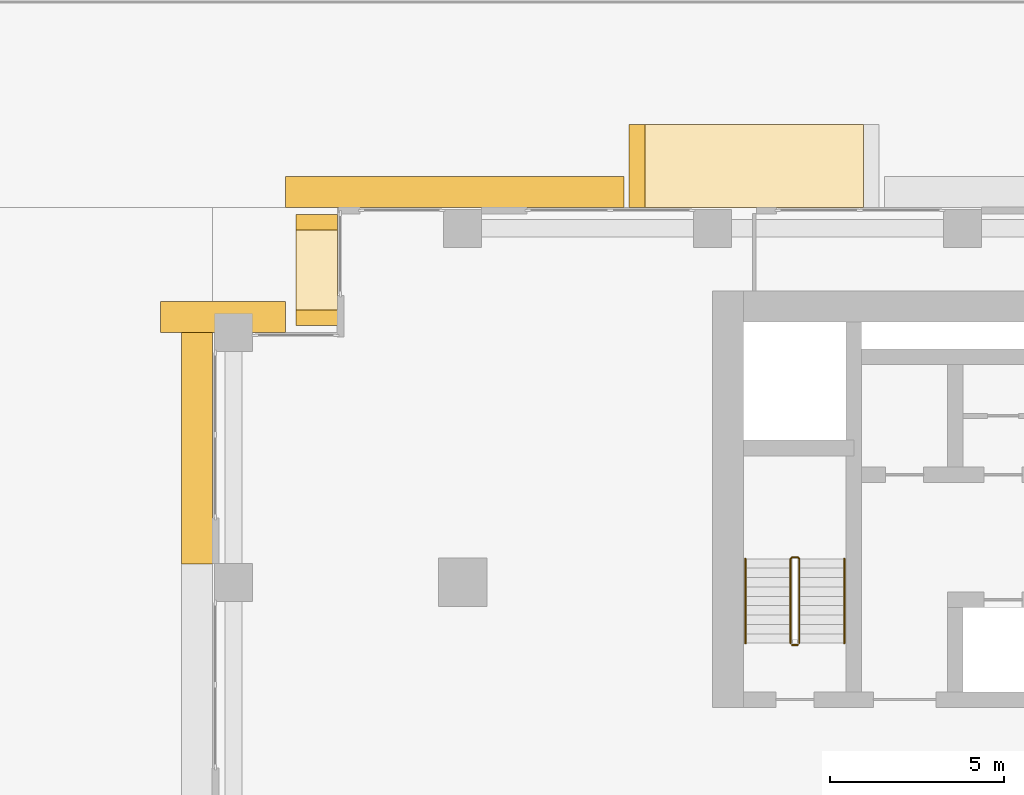
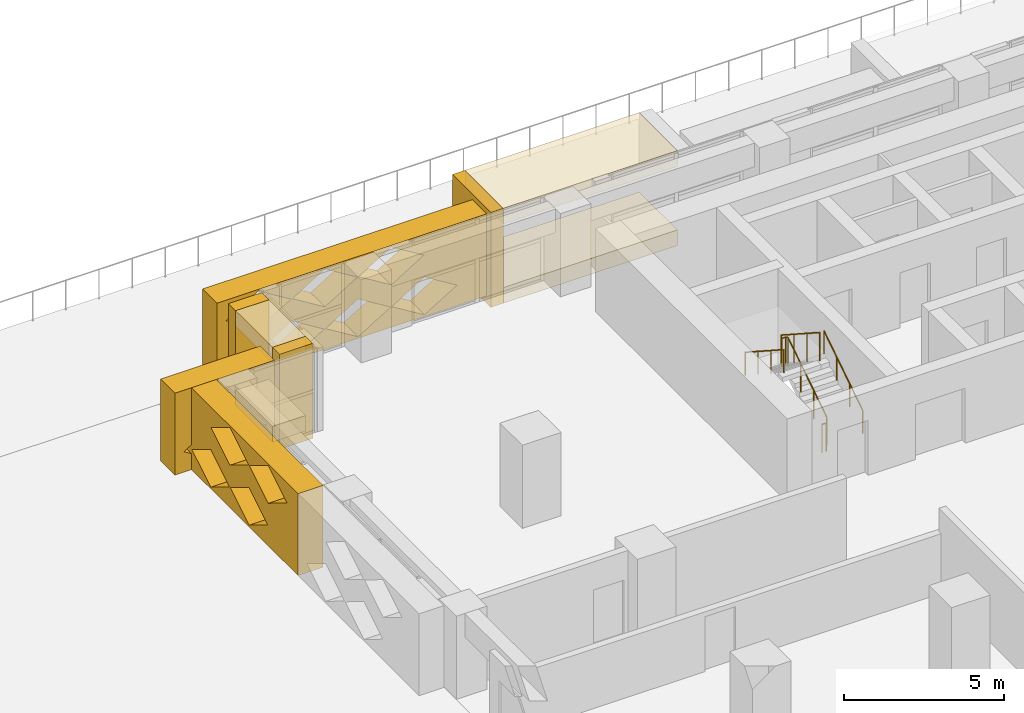
# One storey, part 20 of 24: 10 coverings, 4 railings.
"""IFC4 building model written with IfcOpenShell, lengths in metres."""

from ifc_helpers import new_model, si_unit, direction, frame, origin, origin_2d, place, context, subcontext, project, spatial, polyline, circle, outline, extrude, material, type_object, element, save


model = new_model("IFC4")

# Units and contexts
model_context = context("Model", 3, precision=1e-05, world=origin(), true_north=direction((0.0, 1.0)))
body_context = subcontext(model_context, "Body", "Model", "MODEL_VIEW")
ifc_project = project(units=[si_unit("LENGTHUNIT", "METRE"), si_unit("AREAUNIT", "SQUARE_METRE"), si_unit("VOLUMEUNIT", "CUBIC_METRE"), si_unit("PLANEANGLEUNIT", "RADIAN"), si_unit("MASSUNIT", "GRAM", prefix="KILO")], contexts=[model_context])

# Site, building, storey
site_placement = place(None, origin())
site = spatial("IfcSite", under=ifc_project, at=site_placement, CompositionType="ELEMENT")
building_placement = place(site_placement, origin())
building = spatial("IfcBuilding", under=site, at=building_placement, Name="Saffron Iwan Residences", CompositionType="ELEMENT")
storey_placement = place(building_placement, frame((0.0, 0.0, 27.0)))
storey = spatial("IfcBuildingStorey", under=building, at=storey_placement, Name="L05", CompositionType="ELEMENT", Elevation=27.0)

# Coverings
ifc_material_1 = material(Name="Precast concrete C40/50", Category="concrete")
covering_type_1 = type_object("IfcCoveringType", Name="OUTER SKIN LATTICE SCREEN", PredefinedType="CLADDING", material=ifc_material_1)
covering_1_placement = place(storey_placement, frame((26.25, 80.39990234375, 0.050048828125), z_axis=(0.0, 1.0, 0.0), x_axis=(-1.0, 0.0, 0.0)))
element("IfcCovering", 1, at=covering_1_placement, inside=storey, type_object=covering_type_1, Name="OUTER SKIN lattice screen L05 F5.4", PredefinedType="CLADDING", context=body_context, shape_type="SweptSolid", body=[
    extrude(outline(polyline([(0.0, 0.0), (9.75, 0.0), (9.75, 3.1298828125), (0.0, 3.1298828125), (0.0, 0.0)]), holes=[polyline([(1.070068359375, 0.782470703125), (2.25, 0.06005859375), (3.429931640625, 0.782470703125), (2.25, 1.5048828125), (1.070068359375, 0.782470703125)]), polyline([(3.469970703125, 0.782470703125), (4.64990234375, 0.06005859375), (5.830078125, 0.782470703125), (4.64990234375, 1.5048828125), (3.469970703125, 0.782470703125)]), polyline([(5.8701171875, 0.782470703125), (7.050048828125, 0.06005859375), (8.22998046875, 0.782470703125), (7.050048828125, 1.5048828125), (5.8701171875, 0.782470703125)]), polyline([(2.27001953125, 2.347412109375), (3.449951171875, 1.625), (4.6298828125, 2.347412109375), (3.449951171875, 3.070068359375), (2.27001953125, 2.347412109375)]), polyline([(4.669921875, 2.347412109375), (5.85009765625, 1.625), (7.030029296875, 2.347412109375), (5.85009765625, 3.070068359375), (4.669921875, 2.347412109375)]), polyline([(7.070068359375, 2.347412109375), (8.25, 1.625), (9.429931640625, 2.347412109375), (8.25, 3.070068359375), (7.070068359375, 2.347412109375)])]), origin(), (0.0, 0.0, 1.0), 0.900146484375),
])
covering_2_placement = place(storey_placement, frame((16.5, 76.800048828125, 0.050048828125), z_axis=(0.0, 1.0, 0.0), x_axis=(-1.0, 0.0, 0.0)))
element("IfcCovering", 2, at=covering_2_placement, inside=storey, type_object=covering_type_1, Name="OUTER SKIN lattice screen L05 F7.0", PredefinedType="CLADDING", context=body_context, shape_type="SweptSolid", body=[
    extrude(outline(polyline([(0.0, 0.0), (3.60009765625, 0.0), (3.60009765625, 3.1298828125), (0.0, 3.1298828125), (0.0, 0.0)]), holes=[polyline([(0.919921875, 0.782470703125), (2.10009765625, 0.06005859375), (3.280029296875, 0.782470703125), (2.10009765625, 1.5048828125), (0.919921875, 0.782470703125)])]), origin(), (0.0, 0.0, 1.0), 0.89990234375),
])
covering_3_placement = place(storey_placement, frame((14.39990234375, 77.699951171875, 0.050048828125), z_axis=(-1.0, 0.0, 0.0), x_axis=(0.0, -1.0, 0.0)))
element("IfcCovering", 3, at=covering_3_placement, inside=storey, type_object=covering_type_1, Name="OUTER SKIN lattice screen L05 F8.0", PredefinedType="CLADDING", context=body_context, shape_type="SweptSolid", body=[
    extrude(outline(polyline([(0.0, 0.0), (7.574951171875, 0.0), (7.574951171875, 3.1298828125), (0.0, 3.1298828125), (0.0, 0.0)]), holes=[polyline([(0.919921875, 0.782470703125), (2.10009765625, 0.06005859375), (3.280029296875, 0.782470703125), (2.10009765625, 1.5048828125), (0.919921875, 0.782470703125)]), polyline([(3.320068359375, 0.782470703125), (4.5, 0.06005859375), (5.679931640625, 0.782470703125), (4.5, 1.5048828125), (3.320068359375, 0.782470703125)]), polyline([(2.1201171875, 2.347412109375), (3.300048828125, 1.625), (4.47998046875, 2.347412109375), (3.300048828125, 3.070068359375), (2.1201171875, 2.347412109375)]), polyline([(4.52001953125, 2.347412109375), (5.699951171875, 1.625), (6.8798828125, 2.347412109375), (5.699951171875, 3.070068359375), (4.52001953125, 2.347412109375)])]), origin(), (0.0, 0.0, 1.0), 0.89990234375),
])

# Railings
ifc_material_2 = material(Name="Steel S355", Category="steel")
railing_type_1 = type_object("IfcRailingType", Name="Stair guard 1100", PredefinedType="GUARDRAIL", material=ifc_material_2)
railing_1_placement = place(storey_placement, frame((31.300048828125, 67.85009765625, 0.175048828125)))
element("IfcRailing", 4, at=railing_1_placement, inside=storey, type_object=railing_type_1, Name="L05 ST-W stair guard 1", PredefinedType="GUARDRAIL", context=body_context, shape_type="SweptSolid", body=[
    extrude(circle(Radius=0.02392578125, at=origin_2d()), frame((0.0, 0.0, 1.076171875), z_axis=(0.0, 0.839153699163, 0.543894354798), x_axis=(-1.0, 0.0, 0.0)), (0.0, 0.0, 1.0), 2.895751953125),
    extrude(circle(Radius=0.02392578125, at=origin_2d()), frame((0.0, 2.429931640625, 2.65087890625), z_axis=(-0.707106781187, 0.707106781187, 0.0), x_axis=(-0.707106781187, -0.707106781187, 0.0)), (0.0, 0.0, 1.0), 0.07080078125),
    extrude(circle(Radius=0.02392578125, at=origin_2d()), frame((-0.050048828125, 2.47998046875, 2.65087890625), z_axis=(-1.0, 0.0, 0.0), x_axis=(0.0, -1.0, 0.0)), (0.0, 0.0, 1.0), 0.14990234375),
    extrude(circle(Radius=0.02392578125, at=origin_2d()), frame((-0.199951171875, 2.47998046875, 2.65087890625), z_axis=(-0.265065253269, -0.265065253269, 0.927081885822), x_axis=(0.707106781187, -0.707106781187, 0.0)), (0.0, 0.0, 1.0), 0.188720703125),
    extrude(circle(Radius=0.02392578125, at=origin_2d()), frame((-0.25, 2.429931640625, 2.826171875), z_axis=(0.0, -0.839153699163, 0.543894354798), x_axis=(1.0, 0.0, 0.0)), (0.0, 0.0, 1.0), 2.895751953125),
    extrude(circle(Radius=0.02099609375, at=origin_2d()), origin(), (0.0, 0.0, 1.0), 1.052001953125),
    extrude(circle(Radius=0.02099609375, at=origin_2d()), frame((0.0, 0.81005859375, 0.52490234375)), (0.0, 0.0, 1.0), 1.052001953125),
    extrude(circle(Radius=0.02099609375, at=origin_2d()), frame((0.0, 1.619873046875, 1.050048828125)), (0.0, 0.0, 1.0), 1.052001953125),
    extrude(circle(Radius=0.02099609375, at=origin_2d()), frame((0.0, 2.429931640625, 1.574951171875)), (0.0, 0.0, 1.0), 1.052001953125),
    extrude(circle(Radius=0.02099609375, at=origin_2d()), frame((-0.050048828125, 2.47998046875, 1.574951171875)), (0.0, 0.0, 1.0), 1.052001953125),
    extrude(circle(Radius=0.02099609375, at=origin_2d()), frame((-0.199951171875, 2.47998046875, 1.574951171875)), (0.0, 0.0, 1.0), 1.052001953125),
    extrude(circle(Radius=0.02099609375, at=origin_2d()), frame((-0.25, 2.429931640625, 1.75)), (0.0, 0.0, 1.0), 1.052001953125),
    extrude(circle(Radius=0.02099609375, at=origin_2d()), frame((-0.25, 1.619873046875, 2.27490234375)), (0.0, 0.0, 1.0), 1.052001953125),
    extrude(circle(Radius=0.02099609375, at=origin_2d()), frame((-0.25, 0.81005859375, 2.800048828125)), (0.0, 0.0, 1.0), 1.052001953125),
    extrude(circle(Radius=0.02099609375, at=origin_2d()), frame((-0.25, 0.0, 3.324951171875)), (0.0, 0.0, 1.0), 1.052001953125),
])
railing_2_placement = place(storey_placement, frame((31.25, 67.800048828125, 0.0)))
element("IfcRailing", 5, at=railing_2_placement, inside=storey, type_object=railing_type_1, Name="L05 ST-W stair guard 2", PredefinedType="GUARDRAIL", context=body_context, shape_type="SweptSolid", body=[
    extrude(circle(Radius=0.02392578125, at=origin_2d()), frame((0.0, 0.0, 1.076171875), z_axis=(-1.0, 0.0, 0.0), x_axis=(0.0, -1.0, 0.0)), (0.0, 0.0, 1.0), 0.14990234375),
    extrude(circle(Radius=0.02099609375, at=origin_2d()), origin(), (0.0, 0.0, 1.0), 1.052001953125),
    extrude(circle(Radius=0.02099609375, at=origin_2d()), frame((-0.14990234375, 0.0, 0.0)), (0.0, 0.0, 1.0), 1.052001953125),
])
ifc_material_3 = material(Name="Stainless steel 316", Category="steel")
railing_type_2 = type_object("IfcRailingType", Name="Stair handrail 900", PredefinedType="HANDRAIL", material=ifc_material_3)
railing_3_placement = place(storey_placement, frame((32.60009765625, 67.85009765625, 0.175048828125)))
element("IfcRailing", 6, at=railing_3_placement, inside=storey, type_object=railing_type_2, Name="L05 ST-W stair handrail 1", PredefinedType="HANDRAIL", context=body_context, shape_type="SweptSolid", body=[
    extrude(circle(Radius=0.02392578125, at=origin_2d()), frame((0.0, 0.0, 0.8759765625), z_axis=(0.0, 0.839153699163, 0.543894354798), x_axis=(-1.0, 0.0, 0.0)), (0.0, 0.0, 1.0), 2.895751953125),
    extrude(circle(Radius=0.02099609375, at=origin_2d()), origin(), (0.0, 0.0, 1.0), 0.851806640625),
    extrude(circle(Radius=0.02099609375, at=origin_2d()), frame((0.0, 0.81005859375, 0.52490234375)), (0.0, 0.0, 1.0), 0.851806640625),
    extrude(circle(Radius=0.02099609375, at=origin_2d()), frame((0.0, 1.619873046875, 1.050048828125)), (0.0, 0.0, 1.0), 0.851806640625),
    extrude(circle(Radius=0.02099609375, at=origin_2d()), frame((0.0, 2.429931640625, 1.574951171875)), (0.0, 0.0, 1.0), 0.851806640625),
])
railing_4_placement = place(storey_placement, frame((29.75, 70.280029296875, 1.925048828125)))
element("IfcRailing", 7, at=railing_4_placement, inside=storey, type_object=railing_type_2, Name="L05 ST-W stair handrail 2", PredefinedType="HANDRAIL", context=body_context, shape_type="SweptSolid", body=[
    extrude(circle(Radius=0.02392578125, at=origin_2d()), frame((0.0, 0.0, 0.8759765625), z_axis=(0.0, -0.839153699163, 0.543894354798), x_axis=(1.0, 0.0, 0.0)), (0.0, 0.0, 1.0), 2.895751953125),
    extrude(circle(Radius=0.02099609375, at=origin_2d()), origin(), (0.0, 0.0, 1.0), 0.851806640625),
    extrude(circle(Radius=0.02099609375, at=origin_2d()), frame((0.0, -0.81005859375, 0.52490234375)), (0.0, 0.0, 1.0), 0.851806640625),
    extrude(circle(Radius=0.02099609375, at=origin_2d()), frame((0.0, -1.619873046875, 1.050048828125)), (0.0, 0.0, 1.0), 0.851806640625),
    extrude(circle(Radius=0.02099609375, at=origin_2d()), frame((0.0, -2.429931640625, 1.574951171875)), (0.0, 0.0, 1.0), 0.851806640625),
])

# Coverings
ifc_material_4 = material(Name="Precast concrete C40/50 white painted", Category="concrete")
covering_type_2 = type_object("IfcCoveringType", Name="WHITE SUN FRAME PRECAST", PredefinedType="CLADDING", material=ifc_material_4)
covering_4_placement = place(storey_placement, frame((26.85009765625, 80.39990234375, -0.449951171875), z_axis=(0.0, 1.0, 0.0), x_axis=(-1.0, 0.0, 0.0)))
element("IfcCovering", 8, at=covering_4_placement, inside=storey, type_object=covering_type_2, Name="Sun frame L05 F5 49.2b", PredefinedType="CLADDING", context=body_context, shape_type="SweptSolid", body=[
    extrude(outline(polyline([(0.0, 0.0), (0.449951171875, 0.0), (0.449951171875, 3.6298828125), (0.0, 3.6298828125), (0.0, 0.0)])), origin(), (0.0, 0.0, 1.0), 2.400146484375),
])
for number, where, z_axis, x_axis, name in (
    (9, (33.14990234375, 80.39990234375, 2.580078125), (0.0, 1.0, 0.0), (-1.0, 0.0, 0.0), "Sun frame L05 F5 49.2h"),
    (10, (33.14990234375, 80.39990234375, -0.449951171875), (0.0, 1.0, 0.0), (-1.0, 0.0, 0.0), "Sun frame L05 F5 49.2s"),
):
    element("IfcCovering", number, at=place(storey_placement, frame(where, z_axis=z_axis, x_axis=x_axis)), inside=storey, type_object=covering_type_2, Name=name, PredefinedType="CLADDING", context=body_context, shape_type="SweptSolid", body=[
        extrude(outline(polyline([(0.0, 0.0), (6.300048828125, 0.0), (6.300048828125, 0.60009765625), (0.0, 0.60009765625), (0.0, 0.0)])), origin(), (0.0, 0.0, 1.0), 2.400146484375),
    ])
for number, where, z_axis, x_axis, name in (
    (11, (18.0, 80.199951171875, -0.449951171875), (-1.0, 0.0, 0.0), (0.0, -1.0, 0.0), "Sun frame L05 F6 0.2a"),
    (12, (18.0, 77.449951171875, -0.449951171875), (-1.0, 0.0, 0.0), (0.0, -1.0, 0.0), "Sun frame L05 F6 0.2b"),
):
    element("IfcCovering", number, at=place(storey_placement, frame(where, z_axis=z_axis, x_axis=x_axis)), inside=storey, type_object=covering_type_2, Name=name, PredefinedType="CLADDING", context=body_context, shape_type="SweptSolid", body=[
        extrude(outline(polyline([(0.0, 0.0), (0.449951171875, 0.0), (0.449951171875, 3.6298828125), (0.0, 3.6298828125), (0.0, 0.0)])), origin(), (0.0, 0.0, 1.0), 1.199951171875),
    ])
for number, where, z_axis, x_axis, name in (
    (13, (18.0, 79.75, 2.580078125), (-1.0, 0.0, 0.0), (0.0, -1.0, 0.0), "Sun frame L05 F6 0.2h"),
    (14, (18.0, 79.75, -0.449951171875), (-1.0, 0.0, 0.0), (0.0, -1.0, 0.0), "Sun frame L05 F6 0.2s"),
):
    element("IfcCovering", number, at=place(storey_placement, frame(where, z_axis=z_axis, x_axis=x_axis)), inside=storey, type_object=covering_type_2, Name=name, PredefinedType="CLADDING", context=body_context, shape_type="SweptSolid", body=[
        extrude(outline(polyline([(0.0, 0.0), (2.300048828125, 0.0), (2.300048828125, 0.60009765625), (0.0, 0.60009765625), (0.0, 0.0)])), origin(), (0.0, 0.0, 1.0), 1.199951171875),
    ])

save(model, "model.ifc")
